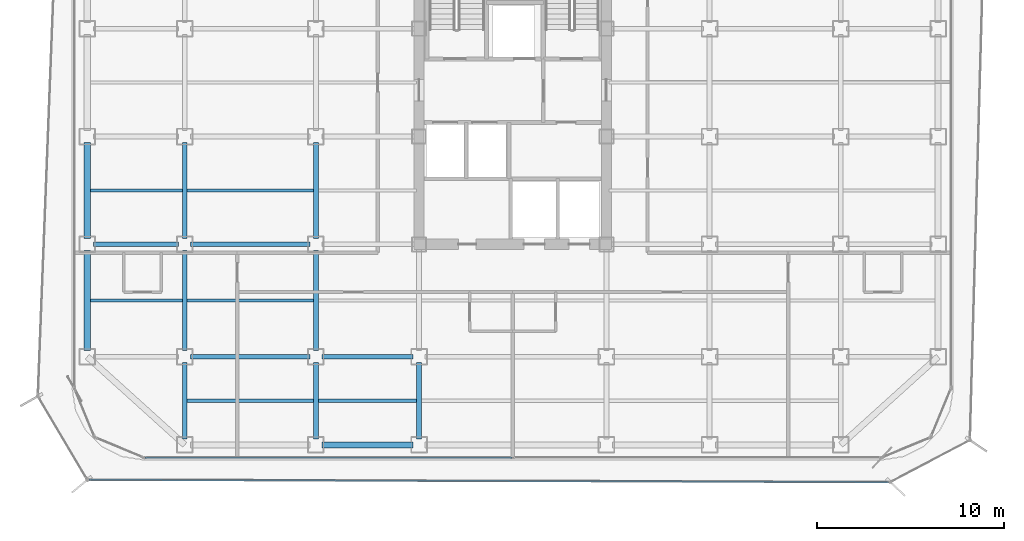
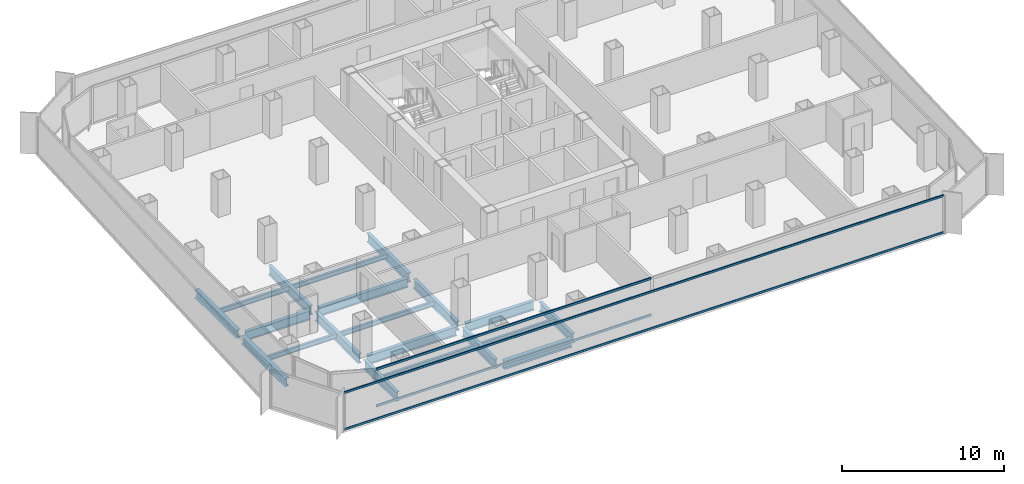
# One storey, part 3 of 21: 20 beams, 4 members, 2 elements without a shape of their own.
"""IFC4 building model written with IfcOpenShell, lengths in metres."""

from ifc_helpers import new_model, si_unit, direction, frame, origin, origin_2d, place, context, subcontext, project, spatial, hollow_rectangle, i_section, extrude, source, transform, mapped, material, layer, layer_set, material_profile, profile_set, type_object, element, aggregate, save


model = new_model("IFC4")

# Units and contexts
model_context = context("Model", 3, precision=1e-05, world=origin(), true_north=direction((0.0, 1.0)))
body_context = subcontext(model_context, "Body", "Model", "MODEL_VIEW")
ifc_project = project(units=[si_unit("LENGTHUNIT", "METRE"), si_unit("AREAUNIT", "SQUARE_METRE"), si_unit("VOLUMEUNIT", "CUBIC_METRE"), si_unit("PLANEANGLEUNIT", "RADIAN"), si_unit("MASSUNIT", "GRAM", prefix="KILO")], contexts=[model_context])

# Site, building, storey
site_placement = place(None, origin())
site = spatial("IfcSite", under=ifc_project, at=site_placement, CompositionType="ELEMENT")
building_placement = place(site_placement, origin())
building = spatial("IfcBuilding", under=site, at=building_placement, Name="Kolveth Station Tower", CompositionType="ELEMENT")
storey_placement = place(building_placement, frame((0.0, 0.0, 140.699951171875)))
storey = spatial("IfcBuildingStorey", under=building, at=storey_placement, Name="L39", CompositionType="ELEMENT", Elevation=140.699951171875)

# Beams
ifc_material_1 = material(Name="Steel S355", Category="steel")
ifc_material_profile_1 = material_profile(ifc_material_1, i_section(OverallWidth=0.323974609375, OverallDepth=0.611083984375, WebThickness=0.0126953125, FlangeThickness=0.01904296875, at=origin_2d()), Name="W610x155")
ifc_profile_set_1 = profile_set([ifc_material_profile_1], Name="Steel S355")
beam_type_1 = type_object("IfcBeamType", Name="Beam_SP2", PredefinedType="SPANDREL", material=ifc_profile_set_1)
shared_shape_1 = source(origin(), body_context, "Body", "SweptSolid", [
    extrude(i_section(OverallWidth=0.323974609375, OverallDepth=0.611083984375, WebThickness=0.0126953125, FlangeThickness=0.01904296875, at=origin_2d()), origin(), (0.0, 0.0, 1.0), 4.85986328125),
])
beam_1_placement = place(storey_placement, frame((13.320068359375, 0.800048828125, -0.555419921875), z_axis=(1.0, 0.0, 0.0), x_axis=(0.0, 1.0, 0.0)))
element("IfcBeam", 1, at=beam_1_placement, inside=storey, type_object=beam_type_1, Name="L39 Perimeter Spandrel BM-L39-PS-2", PredefinedType="SPANDREL", context=body_context, shape_type="MappedRepresentation", body=[
    mapped(shared_shape_1, transform((0.0, 0.0, 0.0), x_axis=(1.0, 0.0, 0.0), y_axis=(0.0, 1.0, 0.0), z_axis=(0.0, 0.0, 1.0), scale=1.0)),
])
shared_shape_2 = source(origin(), body_context, "Body", "SweptSolid", [
    extrude(i_section(OverallWidth=0.323974609375, OverallDepth=0.611083984375, WebThickness=0.0126953125, FlangeThickness=0.01904296875, at=origin_2d()), origin(), (0.0, 0.0, 1.0), 5.35986328125),
])
beam_2_placement = place(storey_placement, frame((0.800048828125, 5.820068359375, -0.555419921875), z_axis=(0.0, 1.0, 0.0), x_axis=(-1.0, 0.0, 0.0)))
element("IfcBeam", 2, at=beam_2_placement, inside=storey, type_object=beam_type_1, Name="L39 Perimeter Spandrel BM-L39-PW-1", PredefinedType="SPANDREL", context=body_context, shape_type="MappedRepresentation", body=[
    mapped(shared_shape_2, transform((0.0, 0.0, 0.0), x_axis=(1.0, 0.0, 0.0), y_axis=(0.0, 1.0, 0.0), z_axis=(0.0, 0.0, 1.0), scale=1.0)),
])
shared_shape_3 = source(origin(), body_context, "Body", "SweptSolid", [
    extrude(i_section(OverallWidth=0.323974609375, OverallDepth=0.611083984375, WebThickness=0.0126953125, FlangeThickness=0.01904296875, at=origin_2d()), origin(), (0.0, 0.0, 1.0), 5.10986328125),
])
beam_3_placement = place(storey_placement, frame((0.800048828125, 11.820068359375, -0.555419921875), z_axis=(0.0, 1.0, 0.0), x_axis=(-1.0, 0.0, 0.0)))
element("IfcBeam", 3, at=beam_3_placement, inside=storey, type_object=beam_type_1, Name="L39 Perimeter Spandrel BM-L39-PW-2", PredefinedType="SPANDREL", context=body_context, shape_type="MappedRepresentation", body=[
    mapped(shared_shape_3, transform((0.0, 0.0, 0.0), x_axis=(1.0, 0.0, 0.0), y_axis=(0.0, 1.0, 0.0), z_axis=(0.0, 0.0, 1.0), scale=1.0)),
])
ifc_material_profile_2 = material_profile(ifc_material_1, i_section(OverallWidth=0.25390625, OverallDepth=0.68798828125, WebThickness=0.01318359375, FlangeThickness=0.02099609375, at=origin_2d()), Name="W690x152")
ifc_profile_set_2 = profile_set([ifc_material_profile_2], Name="Steel S355")
beam_type_2 = type_object("IfcBeamType", Name="Beam_B4", PredefinedType="BEAM", material=ifc_profile_set_2)
shared_shape_4 = source(origin(), body_context, "Body", "SweptSolid", [
    extrude(i_section(OverallWidth=0.25390625, OverallDepth=0.68798828125, WebThickness=0.01318359375, FlangeThickness=0.02099609375, at=origin_2d()), origin(), (0.0, 0.0, 1.0), 4.559814453125),
])
beam_4_placement = place(storey_placement, frame((1.1201171875, 11.5, -0.593994140625), z_axis=(1.0, 0.0, 0.0), x_axis=(0.0, 1.0, 0.0)))
element("IfcBeam", 4, at=beam_4_placement, inside=storey, type_object=beam_type_2, Name="L39 Primary Girder BM-L39-GY115-1", PredefinedType="BEAM", context=body_context, shape_type="MappedRepresentation", body=[
    mapped(shared_shape_4, transform((0.0, 0.0, 0.0), x_axis=(1.0, 0.0, 0.0), y_axis=(0.0, 1.0, 0.0), z_axis=(0.0, 0.0, 1.0), scale=1.0)),
])
shared_shape_5 = source(origin(), body_context, "Body", "SweptSolid", [
    extrude(i_section(OverallWidth=0.25390625, OverallDepth=0.68798828125, WebThickness=0.01318359375, FlangeThickness=0.02099609375, at=origin_2d()), origin(), (0.0, 0.0, 1.0), 6.35986328125),
])
for number, where, z_axis, x_axis, name in (
    (5, (6.320068359375, 5.5, -0.593994140625), (1.0, 0.0, 0.0), (0.0, 1.0, 0.0), "L39 Primary Girder BM-L39-GY55-2"),
    (6, (6.320068359375, 11.5, -0.593994140625), (1.0, 0.0, 0.0), (0.0, 1.0, 0.0), "L39 Primary Girder BM-L39-GY115-2"),
):
    element("IfcBeam", number, at=place(storey_placement, frame(where, z_axis=z_axis, x_axis=x_axis)), inside=storey, type_object=beam_type_2, Name=name, PredefinedType="BEAM", context=body_context, shape_type="MappedRepresentation", body=[
        mapped(shared_shape_5, transform((0.0, 0.0, 0.0), x_axis=(1.0, 0.0, 0.0), y_axis=(0.0, 1.0, 0.0), z_axis=(0.0, 0.0, 1.0), scale=1.0)),
    ])
shared_shape_6 = source(origin(), body_context, "Body", "SweptSolid", [
    extrude(i_section(OverallWidth=0.25390625, OverallDepth=0.68798828125, WebThickness=0.01318359375, FlangeThickness=0.02099609375, at=origin_2d()), origin(), (0.0, 0.0, 1.0), 4.85986328125),
])
beam_5_placement = place(storey_placement, frame((13.320068359375, 5.5, -0.593994140625), z_axis=(1.0, 0.0, 0.0), x_axis=(0.0, 1.0, 0.0)))
element("IfcBeam", 7, at=beam_5_placement, inside=storey, type_object=beam_type_2, Name="L39 Primary Girder BM-L39-GY55-3", PredefinedType="BEAM", context=body_context, shape_type="MappedRepresentation", body=[
    mapped(shared_shape_6, transform((0.0, 0.0, 0.0), x_axis=(1.0, 0.0, 0.0), y_axis=(0.0, 1.0, 0.0), z_axis=(0.0, 0.0, 1.0), scale=1.0)),
])
shared_shape_7 = source(origin(), body_context, "Body", "SweptSolid", [
    extrude(i_section(OverallWidth=0.25390625, OverallDepth=0.68798828125, WebThickness=0.01318359375, FlangeThickness=0.02099609375, at=origin_2d()), origin(), (0.0, 0.0, 1.0), 4.059814453125),
])
for number, where, z_axis, x_axis, name in (
    (8, (6.0, 1.1201171875, -0.593994140625), (0.0, 1.0, 0.0), (-1.0, 0.0, 0.0), "L39 Primary Girder BM-L39-GX60-1"),
    (9, (13.0, 1.1201171875, -0.593994140625), (0.0, 1.0, 0.0), (-1.0, 0.0, 0.0), "L39 Primary Girder BM-L39-GX130-1"),
    (10, (18.5, 1.1201171875, -0.593994140625), (0.0, 1.0, 0.0), (-1.0, 0.0, 0.0), "L39 Primary Girder BM-L39-GX185-1"),
):
    element("IfcBeam", number, at=place(storey_placement, frame(where, z_axis=z_axis, x_axis=x_axis)), inside=storey, type_object=beam_type_2, Name=name, PredefinedType="BEAM", context=body_context, shape_type="MappedRepresentation", body=[
        mapped(shared_shape_7, transform((0.0, 0.0, 0.0), x_axis=(1.0, 0.0, 0.0), y_axis=(0.0, 1.0, 0.0), z_axis=(0.0, 0.0, 1.0), scale=1.0)),
    ])
shared_shape_8 = source(origin(), body_context, "Body", "SweptSolid", [
    extrude(i_section(OverallWidth=0.25390625, OverallDepth=0.68798828125, WebThickness=0.01318359375, FlangeThickness=0.02099609375, at=origin_2d()), origin(), (0.0, 0.0, 1.0), 5.35986328125),
])
for number, where, z_axis, x_axis, name in (
    (11, (6.0, 5.820068359375, -0.593994140625), (0.0, 1.0, 0.0), (-1.0, 0.0, 0.0), "L39 Primary Girder BM-L39-GX60-2"),
    (12, (13.0, 5.820068359375, -0.593994140625), (0.0, 1.0, 0.0), (-1.0, 0.0, 0.0), "L39 Primary Girder BM-L39-GX130-2"),
):
    element("IfcBeam", number, at=place(storey_placement, frame(where, z_axis=z_axis, x_axis=x_axis)), inside=storey, type_object=beam_type_2, Name=name, PredefinedType="BEAM", context=body_context, shape_type="MappedRepresentation", body=[
        mapped(shared_shape_8, transform((0.0, 0.0, 0.0), x_axis=(1.0, 0.0, 0.0), y_axis=(0.0, 1.0, 0.0), z_axis=(0.0, 0.0, 1.0), scale=1.0)),
    ])
shared_shape_9 = source(origin(), body_context, "Body", "SweptSolid", [
    extrude(i_section(OverallWidth=0.25390625, OverallDepth=0.68798828125, WebThickness=0.01318359375, FlangeThickness=0.02099609375, at=origin_2d()), origin(), (0.0, 0.0, 1.0), 5.10986328125),
])
for number, where, z_axis, x_axis, name in (
    (13, (6.0, 11.820068359375, -0.593994140625), (0.0, 1.0, 0.0), (-1.0, 0.0, 0.0), "L39 Primary Girder BM-L39-GX60-3"),
    (14, (13.0, 11.820068359375, -0.593994140625), (0.0, 1.0, 0.0), (-1.0, 0.0, 0.0), "L39 Primary Girder BM-L39-GX130-3"),
):
    element("IfcBeam", number, at=place(storey_placement, frame(where, z_axis=z_axis, x_axis=x_axis)), inside=storey, type_object=beam_type_2, Name=name, PredefinedType="BEAM", context=body_context, shape_type="MappedRepresentation", body=[
        mapped(shared_shape_9, transform((0.0, 0.0, 0.0), x_axis=(1.0, 0.0, 0.0), y_axis=(0.0, 1.0, 0.0), z_axis=(0.0, 0.0, 1.0), scale=1.0)),
    ])
ifc_material_profile_3 = material_profile(ifc_material_1, i_section(OverallWidth=0.1708984375, OverallDepth=0.35205078125, WebThickness=0.0068359375, FlangeThickness=0.009765625, at=origin_2d()), Name="W360x44")
ifc_profile_set_3 = profile_set([ifc_material_profile_3], Name="Steel S355")
beam_type_3 = type_object("IfcBeamType", Name="Beam_J2", PredefinedType="JOIST", material=ifc_profile_set_3)
shared_shape_10 = source(origin(), body_context, "Body", "SweptSolid", [
    extrude(i_section(OverallWidth=0.1708984375, OverallDepth=0.35205078125, WebThickness=0.0068359375, FlangeThickness=0.009765625, at=origin_2d()), origin(), (0.0, 0.0, 1.0), 4.9150390625),
])
for number, where, z_axis, x_axis, name in (
    (15, (0.9599609375, 8.5, -0.426025390625), (1.0, 0.0, 0.0), (0.0, 1.0, 0.0), "L39 Secondary Joist JST-L39-1-2"),
    (16, (0.9599609375, 14.375, -0.426025390625), (1.0, 0.0, 0.0), (0.0, 1.0, 0.0), "L39 Secondary Joist JST-L39-1-3"),
):
    element("IfcBeam", number, at=place(storey_placement, frame(where, z_axis=z_axis, x_axis=x_axis)), inside=storey, type_object=beam_type_3, Name=name, PredefinedType="JOIST", context=body_context, shape_type="MappedRepresentation", body=[
        mapped(shared_shape_10, transform((0.0, 0.0, 0.0), x_axis=(1.0, 0.0, 0.0), y_axis=(0.0, 1.0, 0.0), z_axis=(0.0, 0.0, 1.0), scale=1.0)),
    ])
shared_shape_11 = source(origin(), body_context, "Body", "SweptSolid", [
    extrude(i_section(OverallWidth=0.1708984375, OverallDepth=0.35205078125, WebThickness=0.0068359375, FlangeThickness=0.009765625, at=origin_2d()), origin(), (0.0, 0.0, 1.0), 6.75),
])
for number, where, z_axis, x_axis, name in (
    (17, (6.125, 3.14990234375, -0.426025390625), (1.0, 0.0, 0.0), (0.0, 1.0, 0.0), "L39 Secondary Joist JST-L39-2-1"),
    (18, (6.125, 8.5, -0.426025390625), (1.0, 0.0, 0.0), (0.0, 1.0, 0.0), "L39 Secondary Joist JST-L39-2-2"),
    (19, (6.125, 14.375, -0.426025390625), (1.0, 0.0, 0.0), (0.0, 1.0, 0.0), "L39 Secondary Joist JST-L39-2-3"),
):
    element("IfcBeam", number, at=place(storey_placement, frame(where, z_axis=z_axis, x_axis=x_axis)), inside=storey, type_object=beam_type_3, Name=name, PredefinedType="JOIST", context=body_context, shape_type="MappedRepresentation", body=[
        mapped(shared_shape_11, transform((0.0, 0.0, 0.0), x_axis=(1.0, 0.0, 0.0), y_axis=(0.0, 1.0, 0.0), z_axis=(0.0, 0.0, 1.0), scale=1.0)),
    ])
shared_shape_12 = source(origin(), body_context, "Body", "SweptSolid", [
    extrude(i_section(OverallWidth=0.1708984375, OverallDepth=0.35205078125, WebThickness=0.0068359375, FlangeThickness=0.009765625, at=origin_2d()), origin(), (0.0, 0.0, 1.0), 5.25),
])
beam_6_placement = place(storey_placement, frame((13.125, 3.14990234375, -0.426025390625), z_axis=(1.0, 0.0, 0.0), x_axis=(0.0, 1.0, 0.0)))
element("IfcBeam", 20, at=beam_6_placement, inside=storey, type_object=beam_type_3, Name="L39 Secondary Joist JST-L39-3-1", PredefinedType="JOIST", context=body_context, shape_type="MappedRepresentation", body=[
    mapped(shared_shape_12, transform((0.0, 0.0, 0.0), x_axis=(1.0, 0.0, 0.0), y_axis=(0.0, 1.0, 0.0), z_axis=(0.0, 0.0, 1.0), scale=1.0)),
])

# Curtain wall, members
ifc_material_2 = material(Name="Aluminium 6063-T6 and low-E dark glass", Category="aluminium")
ifc_layer_1 = layer(ifc_material_2, 0.18994140625)
ifc_layer_set_1 = layer_set([ifc_layer_1], Name="Aluminium 6063-T6 and low-E dark glass")
curtain_wall_type_1 = type_object("IfcCurtainWallType", Name="CurtainWall_CW-Z2", PredefinedType="NOTDEFINED", material=ifc_layer_set_1)
curtain_wall_1_placement = place(storey_placement, origin())
curtain_wall_1 = element("IfcCurtainWall", 21, at=curtain_wall_1_placement, inside=storey, type_object=curtain_wall_type_1, Name="L39 Inner Thermal Curtain Wall 12", PredefinedType="NOTDEFINED")
ifc_material_3 = material(Name="Black anodized aluminium 6063-T6", Category="aluminium")
ifc_material_profile_4 = material_profile(ifc_material_3, hollow_rectangle(XDim=0.080078125, YDim=0.169921875, WallThickness=0.0048828125, at=origin_2d()), Name="ALU-80x170x5")
ifc_profile_set_4 = profile_set([ifc_material_profile_4], Name="Black anodized aluminium 6063-T6")
member_type_1 = type_object("IfcMemberType", Name="Transom_TR2", PredefinedType="USERDEFINED", material=ifc_profile_set_4)
shared_shape_13 = source(origin(), body_context, "Body", "SweptSolid", [
    extrude(hollow_rectangle(XDim=0.080078125, YDim=0.169921875, WallThickness=0.0048828125, at=origin_2d()), origin(), (0.0, 0.0, 1.0), 19.580078125),
])
member_1_placement = place(storey_placement, frame((3.8798828125, 0.1201171875, 0.0400390625), z_axis=(1.0, 0.0, 0.0), x_axis=(0.0, 1.0, 0.0)))
member_1 = element("IfcMember", 22, at=member_1_placement, type_object=member_type_1, Name="CW-Z2 transom 1.1", ObjectType="TRANSOM", PredefinedType="USERDEFINED", context=body_context, shape_type="MappedRepresentation", body=[
    mapped(shared_shape_13, transform((0.0, 0.0, 0.0), x_axis=(1.0, 0.0, 0.0), y_axis=(0.0, 1.0, 0.0), z_axis=(0.0, 0.0, 1.0), scale=1.0)),
])
member_2_placement = place(storey_placement, frame((3.8798828125, 0.1201171875, 2.800048828125), z_axis=(1.0, 0.0, 0.0), x_axis=(0.0, 1.0, 0.0)))
member_2 = element("IfcMember", 23, at=member_2_placement, type_object=member_type_1, Name="CW-Z2 transom 1.2", ObjectType="TRANSOM", PredefinedType="USERDEFINED", context=body_context, shape_type="MappedRepresentation", body=[
    mapped(shared_shape_13, transform((0.0, 0.0, 0.0), x_axis=(1.0, 0.0, 0.0), y_axis=(0.0, 1.0, 0.0), z_axis=(0.0, 0.0, 1.0), scale=1.0)),
])
aggregate(curtain_wall_1, [member_1, member_2])

ifc_material_4 = material(Name="Black anodized aluminium 6063-T6 and dark solar glass", Category="aluminium")
ifc_layer_2 = layer(ifc_material_4, 0.159912109375)
ifc_layer_set_2 = layer_set([ifc_layer_2], Name="Black anodized aluminium 6063-T6 and dark solar glass")
curtain_wall_type_2 = type_object("IfcCurtainWallType", Name="OUTER SKIN CW-OS", PredefinedType="NOTDEFINED", material=ifc_layer_set_2)
curtain_wall_2_placement = place(storey_placement, origin())
curtain_wall_2 = element("IfcCurtainWall", 24, at=curtain_wall_2_placement, inside=storey, type_object=curtain_wall_type_2, Name="L39 Outer Ventilated Skin Curtain Wall 8", PredefinedType="NOTDEFINED")
ifc_material_profile_5 = material_profile(ifc_material_3, hollow_rectangle(XDim=0.080078125, YDim=0.14990234375, WallThickness=0.0048828125, at=origin_2d()), Name="ALU-80x150x5")
ifc_profile_set_5 = profile_set([ifc_material_profile_5], Name="Black anodized aluminium 6063-T6")
member_type_2 = type_object("IfcMemberType", Name="Transom_TR-OS", PredefinedType="USERDEFINED", material=ifc_profile_set_5)
shared_shape_14 = source(origin(), body_context, "Body", "SweptSolid", [
    extrude(hollow_rectangle(XDim=0.080078125, YDim=0.14990234375, WallThickness=0.0048828125, at=origin_2d()), origin(), (0.0, 0.0, 1.0), 42.65576171875),
])
member_3_placement = place(storey_placement, frame((0.899169921875, -1.065673828125, 0.0400390625), z_axis=(0.99999583938, -0.002884652913, 0.0), x_axis=(0.002884652913, 0.99999583938, 0.0)))
member_3 = element("IfcMember", 25, at=member_3_placement, type_object=member_type_2, Name="CW-OS transom 1.1", ObjectType="TRANSOM", PredefinedType="USERDEFINED", context=body_context, shape_type="MappedRepresentation", body=[
    mapped(shared_shape_14, transform((0.0, 0.0, 0.0), x_axis=(1.0, 0.0, 0.0), y_axis=(0.0, 1.0, 0.0), z_axis=(0.0, 0.0, 1.0), scale=1.0)),
])
member_4_placement = place(storey_placement, frame((0.899169921875, -1.065673828125, 2.800048828125), z_axis=(0.99999583938, -0.002884652913, 0.0), x_axis=(0.002884652913, 0.99999583938, 0.0)))
member_4 = element("IfcMember", 26, at=member_4_placement, type_object=member_type_2, Name="CW-OS transom 1.2", ObjectType="TRANSOM", PredefinedType="USERDEFINED", context=body_context, shape_type="MappedRepresentation", body=[
    mapped(shared_shape_14, transform((0.0, 0.0, 0.0), x_axis=(1.0, 0.0, 0.0), y_axis=(0.0, 1.0, 0.0), z_axis=(0.0, 0.0, 1.0), scale=1.0)),
])
aggregate(curtain_wall_2, [member_3, member_4])

save(model, "model.ifc")
